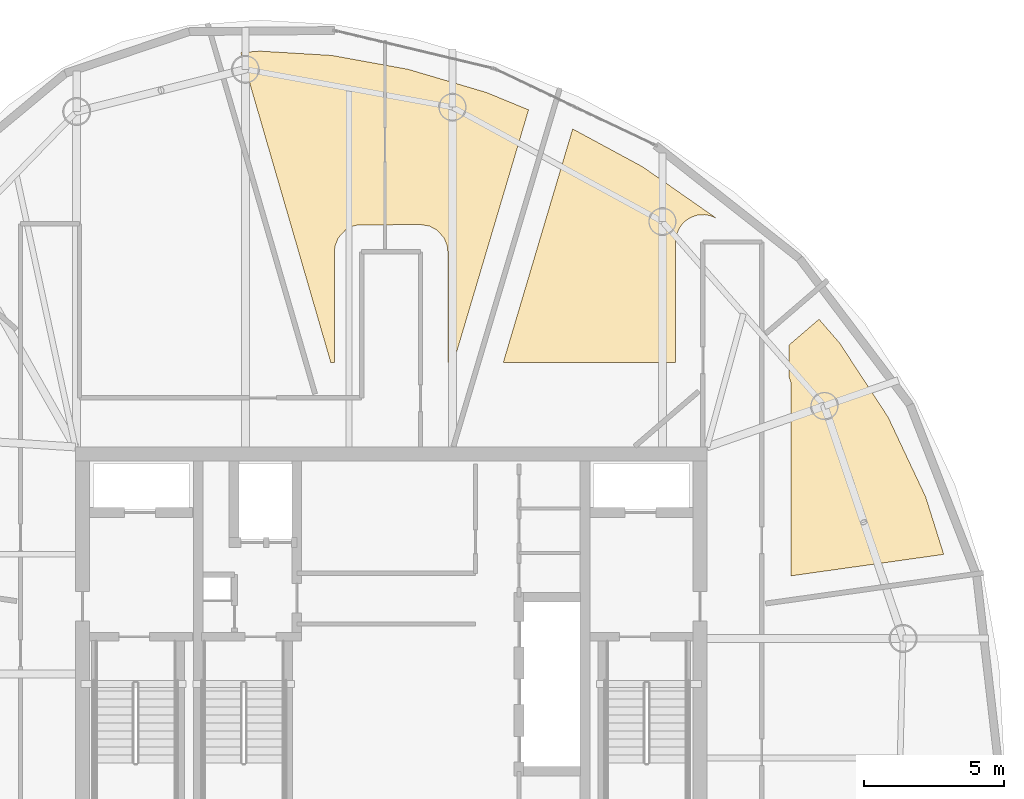
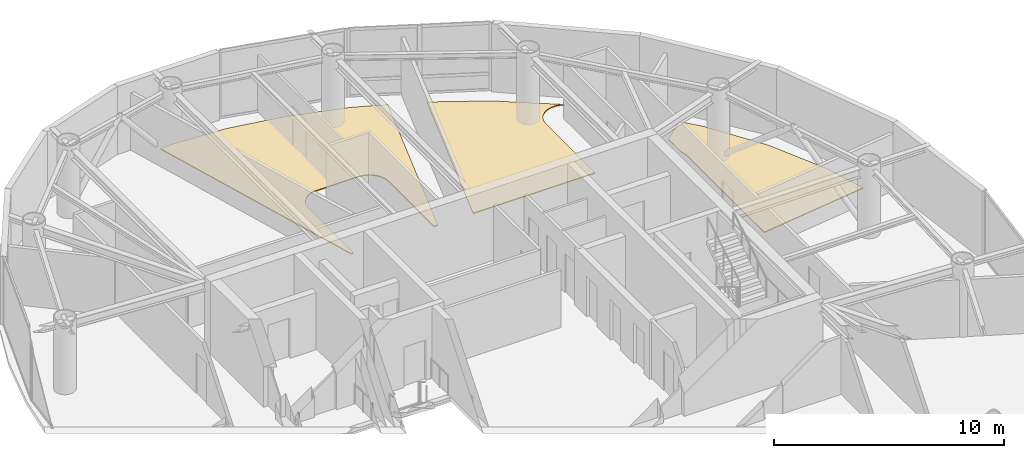
# One storey, part 20 of 20: 3 coverings.
"""IFC4 building model written with IfcOpenShell, lengths in metres."""

from ifc_helpers import new_model, si_unit, direction, frame, origin, place, context, subcontext, project, spatial, polyline, outline, extrude, material, layer, layer_set, type_object, element, save


model = new_model("IFC4")

# Units and contexts
model_context = context("Model", 3, precision=1e-05, world=origin(), true_north=direction((0.0, 1.0)))
body_context = subcontext(model_context, "Body", "Model", "MODEL_VIEW")
ifc_project = project(units=[si_unit("LENGTHUNIT", "METRE"), si_unit("AREAUNIT", "SQUARE_METRE"), si_unit("VOLUMEUNIT", "CUBIC_METRE"), si_unit("PLANEANGLEUNIT", "RADIAN"), si_unit("MASSUNIT", "GRAM", prefix="KILO")], contexts=[model_context])

# Site, building, storey
site_placement = place(None, origin())
site = spatial("IfcSite", under=ifc_project, at=site_placement, CompositionType="ELEMENT")
building_placement = place(site_placement, origin())
building = spatial("IfcBuilding", under=site, at=building_placement, Name="Bramvorn Convention Spire", CompositionType="ELEMENT")
storey_placement = place(building_placement, frame((0.0, 0.0, 276.699951171875)))
storey = spatial("IfcBuildingStorey", under=building, at=storey_placement, Name="L70", CompositionType="ELEMENT", Elevation=276.699951171875)

# Coverings
ifc_material = material(Name="Calcium-Sulphate Raised Access Office Floor", Category="steel")
ifc_layer = layer(ifc_material, 0.044921875)
ifc_layer_set = layer_set([ifc_layer], Name="Calcium-Sulphate Raised Access Office Floor - FLR-RAISED-45")
covering_type = type_object("IfcCoveringType", Name="FLR-RAISED-45", PredefinedType="FLOORING", material=ifc_layer_set)
covering_1_placement = place(storey_placement, origin())
element("IfcCovering", 1, at=covering_1_placement, inside=storey, type_object=covering_type, Name="L70 Archive & Document Store 1 1 raised floor finish", PredefinedType="FLOORING", context=body_context, shape_type="SweptSolid", body=[
    extrude(outline(polyline([(52.233642578125, 35.765869140625), (52.25, 35.60009765625), (52.25, 28.861083984375), (57.680419921875, 29.624267578125), (57.038330078125, 31.669921875), (55.697509765625, 34.51611328125), (53.975830078125, 37.1494140625), (53.23876953125, 37.998291015625), (52.169921875, 37.078125), (52.169921875, 35.95751953125), (52.233642578125, 35.765869140625)])), origin(), (0.0, 0.0, 1.0), 0.045166015625),
])
covering_2_placement = place(storey_placement, origin())
element("IfcCovering", 2, at=covering_2_placement, inside=storey, type_object=covering_type, Name="L70 Archive & Document Vault 2 2 raised floor finish", PredefinedType="FLOORING", context=body_context, shape_type="SweptSolid", body=[
    extrude(outline(polyline([(41.9912109375, 36.449951171875), (48.1298828125, 36.449951171875), (48.1298828125, 40.755615234375), (48.16162109375, 41.0009765625), (48.269775390625, 41.2568359375), (48.3857421875, 41.41162109375), (48.539794921875, 41.547119140625), (48.7080078125, 41.642578125), (48.89208984375, 41.702880859375), (49.1689453125, 41.722900390625), (49.37109375, 41.686767578125), (49.588623046875, 41.59228515625), (46.947021484375, 43.434814453125), (44.46484375, 44.77685546875), (41.9912109375, 36.449951171875)])), origin(), (0.0, 0.0, 1.0), 0.045166015625),
])
covering_3_placement = place(storey_placement, origin())
element("IfcCovering", 3, at=covering_3_placement, inside=storey, type_object=covering_type, Name="L70 Archive & Print Store 3 3 raised floor finish", PredefinedType="FLOORING", context=body_context, shape_type="SweptSolid", body=[
    extrude(outline(polyline([(33.321044921875, 47.550048828125), (32.64697265625, 47.497314453125), (35.852783203125, 36.449951171875), (35.97998046875, 36.449951171875), (35.98095703125, 40.441650390625), (36.010498046875, 40.641357421875), (36.12109375, 40.90380859375), (36.376953125, 41.1826171875), (36.61767578125, 41.311279296875), (36.802001953125, 41.3583984375), (39.050048828125, 41.3701171875), (39.37109375, 41.315185546875), (39.632568359375, 41.175537109375), (39.87890625, 40.90380859375), (39.9921875, 40.6298828125), (40.02001953125, 40.39990234375), (40.02001953125, 36.449951171875), (40.2177734375, 36.449951171875), (42.893798828125, 45.4580078125), (41.389404296875, 46.07763671875), (38.592041015625, 46.90478515625), (35.882568359375, 47.396240234375), (33.321044921875, 47.550048828125)])), origin(), (0.0, 0.0, 1.0), 0.045166015625),
])

save(model, "model.ifc")
